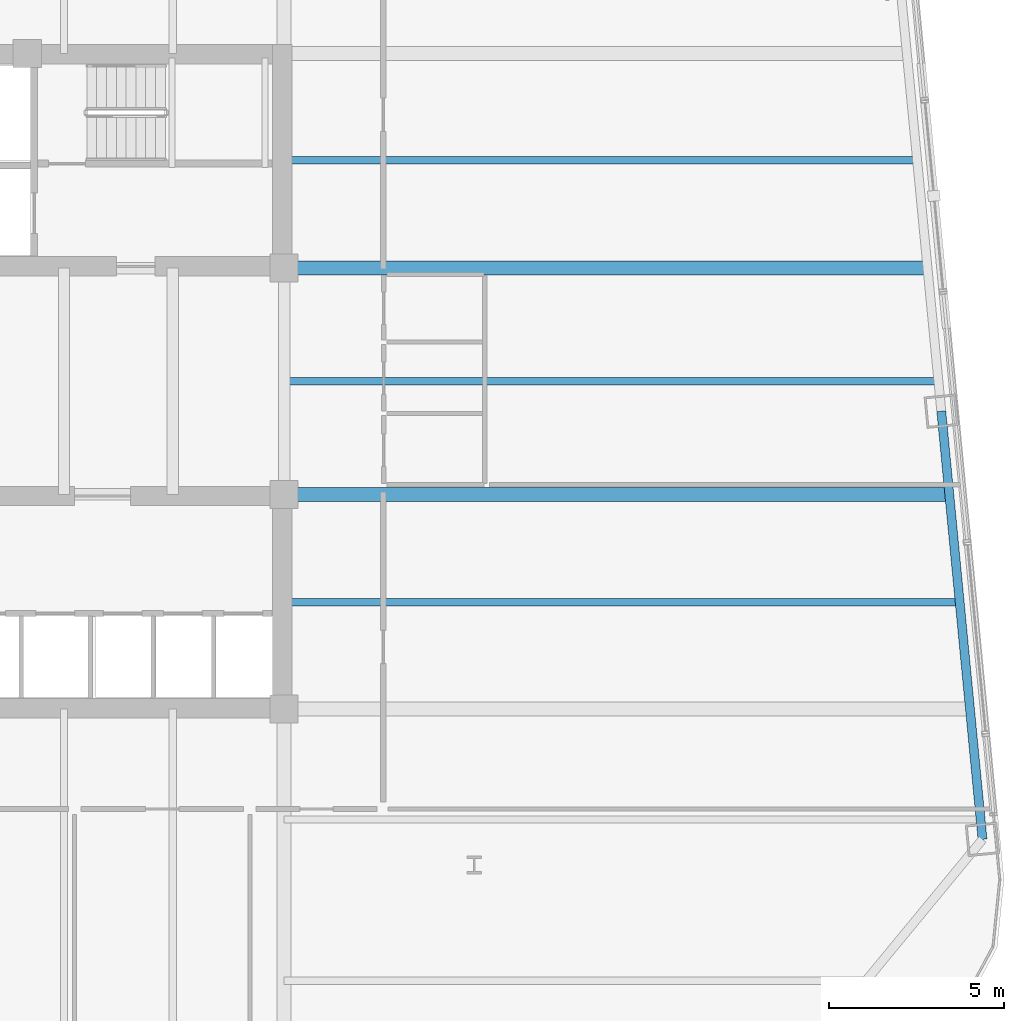
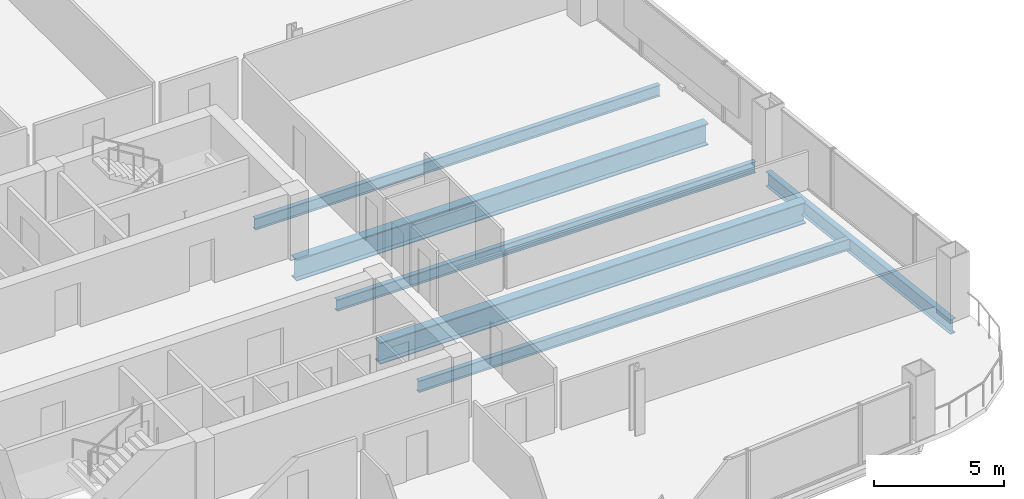
# One storey, part 12 of 27: 6 beams.
"""IFC4 building model written with IfcOpenShell, lengths in metres."""

import ifcopenshell
import ifcopenshell.guid

model = None  # the IFC model being written
_history = None  # IfcOwnerHistory: only IFC2X3 demands one
_inside = {}  # id of a spatial element -> (the spatial element, [elements in it])
_under = {}  # id of a project, library or spatial element -> (it, [spatial elements below it])
_declared = {}  # id of a project -> (the project, [libraries it declares])
_typed = {}  # id of a type object -> (the type object, [elements of that type])
_made_of = {}  # id of a material, layer set ... -> (it, [elements and type objects made of it])


def new_model(schema):
    """Start an empty IFC model of exactly this schema.

    Asked for "IFC4X3", IfcOpenShell would pick the latest addendum, in which some entities
    have other attributes; the version numbers below select the first issue.
    IFC2X3 requires an IfcOwnerHistory on every rooted entity: one is made here for all.
    """
    global model, _history
    if schema == "IFC4X3":
        model = ifcopenshell.file(schema_version=(4, 3, 0, 0))
    else:
        model = ifcopenshell.file(schema=schema)
    _inside.clear()
    _under.clear()
    _declared.clear()
    _typed.clear()
    _made_of.clear()
    _history = None
    if model.schema == "IFC2X3":
        org = make("IfcOrganization", Name="unknown")
        user = make(
            "IfcPersonAndOrganization",
            ThePerson=make("IfcPerson", FamilyName="unknown"),
            TheOrganization=org,
        )
        app = make(
            "IfcApplication",
            ApplicationDeveloper=org,
            Version="unknown",
            ApplicationFullName="unknown",
            ApplicationIdentifier="unknown",
        )
        _history = make(
            "IfcOwnerHistory",
            OwningUser=user,
            OwningApplication=app,
            ChangeAction="ADDED",
            CreationDate=0,
        )
    return model


def make(cls, **values):
    """One entity of the class cls with the attributes given. An attribute that is None is left unset."""
    return model.create_entity(
        cls, **{name: value for name, value in values.items() if value is not None}
    )


def rooted(cls, **values):
    """An entity with a GlobalId (a new one), such as an element, a storey or a relation."""
    return make(cls, GlobalId=ifcopenshell.guid.new(), OwnerHistory=_history, **values)


def si_unit(unit_type, name, prefix=None):
    """IfcSIUnit, for example si_unit("LENGTHUNIT", "METRE", prefix="MILLI")."""
    return make("IfcSIUnit", UnitType=unit_type, Prefix=prefix, Name=name)


def assignment(units):
    """IfcUnitAssignment: the units of a project."""
    return None if units is None else make("IfcUnitAssignment", Units=units)


def point(xyz):
    """IfcCartesianPoint."""
    return None if xyz is None else make("IfcCartesianPoint", Coordinates=xyz)


def direction(xyz):
    """IfcDirection."""
    return None if xyz is None else make("IfcDirection", DirectionRatios=xyz)


def frame(location, z_axis=None, x_axis=None):
    """IfcAxis2Placement3D, a coordinate frame: its origin and axes. An axis left out is left unset."""
    return make(
        "IfcAxis2Placement3D",
        Location=point(location),
        Axis=direction(z_axis),
        RefDirection=direction(x_axis),
    )


def frame_2d(location, x_axis=None):
    """IfcAxis2Placement2D, a coordinate frame in the plane: its origin and x axis."""
    return make(
        "IfcAxis2Placement2D", Location=point(location), RefDirection=direction(x_axis)
    )


def origin():
    """The frame at (0, 0, 0) with its axes left unset."""
    return frame((0.0, 0.0, 0.0))


def origin_2d():
    """The frame at (0, 0) in the plane with its x axis left unset."""
    return frame_2d((0.0, 0.0))


def place(relative_to, where):
    """IfcLocalPlacement: puts the frame where relative to a parent placement (None: the world)."""
    return make(
        "IfcLocalPlacement", PlacementRelTo=relative_to, RelativePlacement=where
    )


def context(
    kind, dimensions, precision=None, world=None, true_north=None, identifier=None
):
    """IfcGeometricRepresentationContext, for example the 3D "Model" context."""
    return make(
        "IfcGeometricRepresentationContext",
        ContextIdentifier=identifier,
        ContextType=kind,
        CoordinateSpaceDimension=dimensions,
        Precision=precision,
        WorldCoordinateSystem=world,
        TrueNorth=true_north,
    )


def subcontext(parent, identifier, kind, view, scale=None):
    """IfcGeometricRepresentationSubContext, for example "Body" below "Model"."""
    return make(
        "IfcGeometricRepresentationSubContext",
        ContextIdentifier=identifier,
        ContextType=kind,
        ParentContext=parent,
        TargetScale=scale,
        TargetView=view,
    )


def project(units=None, contexts=None):
    """IfcProject with its units and contexts."""
    return rooted(
        "IfcProject",
        Name="project",
        RepresentationContexts=contexts,
        UnitsInContext=assignment(units),
    )


def spatial(cls, under=None, at=None, **own):
    """A site, building, storey or space (cls), placed at a placement, below another one or the project."""
    s = rooted(cls, ObjectPlacement=at, **own)
    if under is not None:
        _under.setdefault(under.id(), (under, []))[1].append(s)
    return s


def profile(cls, at=None, kind="AREA", **sizes):
    """A parametric profile (cls). Its sizes go by their IFC names, for example OverallWidth=200.0."""
    return make(cls, ProfileType=kind, Position=at, **sizes)


def i_section(**sizes):
    """IfcIShapeProfileDef."""
    return profile("IfcIShapeProfileDef", **sizes)


def extrude(swept, where, along, depth):
    """IfcExtrudedAreaSolid: the profile swept, set in the frame where, extruded along a direction by depth."""
    return make(
        "IfcExtrudedAreaSolid",
        SweptArea=swept,
        Position=where,
        ExtrudedDirection=direction(along),
        Depth=depth,
    )


def shape(context_of_items, identifier, shape_type, items):
    """IfcShapeRepresentation: the items that make up one representation, for example the "Body"."""
    return make(
        "IfcShapeRepresentation",
        ContextOfItems=context_of_items,
        RepresentationIdentifier=identifier,
        RepresentationType=shape_type,
        Items=items,
    )


def material(Name=None, Category=None):
    """IfcMaterial."""
    return make("IfcMaterial", Name=Name, Category=Category)


def material_profile(
    of_material, cross_section, Name=None, Category=None, Priority=None
):
    """IfcMaterialProfile: a cross section and its material."""
    return make(
        "IfcMaterialProfile",
        Name=Name,
        Material=of_material,
        Profile=cross_section,
        Priority=Priority,
        Category=Category,
    )


def profile_set(profiles, Name=None, composite=None):
    """IfcMaterialProfileSet."""
    return make(
        "IfcMaterialProfileSet",
        Name=Name,
        MaterialProfiles=profiles,
        CompositeProfile=composite,
    )


def made_of(thing, what):
    """Note that an element or type object is made of a material, layer set ...; save() writes the relation."""
    if what is not None:
        _made_of.setdefault(what.id(), (what, []))[1].append(thing)
    return thing


def type_object(cls, material=None, **own):
    """A type object (cls), such as IfcWallType, which elements share."""
    return made_of(rooted(cls, **own), material)


def element(
    cls,
    number,
    at=None,
    inside=None,
    cuts=None,
    type_object=None,
    material=None,
    context=None,
    identifier="Body",
    shape_type=None,
    held_by="IfcProductDefinitionShape",
    body=None,
    shapes=None,
    **own,
):
    """One element of the class cls, such as IfcWall. Its Tag is "e" and its number.

    at: its placement. inside: the storey or other place that contains it. cuts: it is an
    opening in that element (IfcRelVoidsElement). A single representation is given by context,
    identifier, shape_type and body (its items); several are given by shapes. held_by: the class
    of the entity that holds the representations. save() writes the other relations.
    """
    e = rooted(cls, Tag="e%d" % number, ObjectPlacement=at, **own)
    if body is not None:
        shapes = [shape(context, identifier, shape_type, body)]
    if shapes is not None:
        e.Representation = make(held_by, Representations=shapes)
    if inside is not None:
        _inside.setdefault(inside.id(), (inside, []))[1].append(e)
    if cuts is not None:
        rooted(
            "IfcRelVoidsElement", RelatingBuildingElement=cuts, RelatedOpeningElement=e
        )
    if type_object is not None:
        _typed.setdefault(type_object.id(), (type_object, []))[1].append(e)
    return made_of(e, material)


def aggregate(whole, parts):
    """IfcRelAggregates: a whole, such as a stair, and the parts it consists of."""
    return rooted("IfcRelAggregates", RelatingObject=whole, RelatedObjects=parts)


def save(model, path):
    """Write the relations noted so far, then the file.

    IfcRelAggregates (storeys below a building ...), IfcRelContainedInSpatialStructure (elements
    in a storey), IfcRelDefinesByType, IfcRelAssociatesMaterial and IfcRelDeclares: one each for
    every whole, place, type object, material and project.
    """
    for whole, parts in _under.values():
        aggregate(whole, parts)
    for where, things in _inside.values():
        rooted(
            "IfcRelContainedInSpatialStructure",
            RelatedElements=things,
            RelatingStructure=where,
        )
    for kind, things in _typed.values():
        rooted("IfcRelDefinesByType", RelatedObjects=things, RelatingType=kind)
    for what, things in _made_of.values():
        rooted("IfcRelAssociatesMaterial", RelatedObjects=things, RelatingMaterial=what)
    for by, libraries in _declared.values():
        rooted("IfcRelDeclares", RelatingContext=by, RelatedDefinitions=libraries)
    model.write(path)


model = new_model("IFC4")

# Units and contexts
model_context = context("Model", 3, precision=1e-05, world=origin(), true_north=direction((0.0, 1.0)))
body_context = subcontext(model_context, "Body", "Model", "MODEL_VIEW")
ifc_project = project(units=[si_unit("LENGTHUNIT", "METRE"), si_unit("AREAUNIT", "SQUARE_METRE"), si_unit("VOLUMEUNIT", "CUBIC_METRE"), si_unit("PLANEANGLEUNIT", "RADIAN"), si_unit("MASSUNIT", "GRAM", prefix="KILO")], contexts=[model_context])

# Site, building, storey
site_placement = place(None, origin())
site = spatial("IfcSite", under=ifc_project, at=site_placement, CompositionType="ELEMENT")
building_placement = place(site_placement, origin())
building = spatial("IfcBuilding", under=site, at=building_placement, Name="Qhalaya Broadcast Tower", CompositionType="ELEMENT")
storey_placement = place(building_placement, frame((0.0, 0.0, 84.699951171875)))
storey = spatial("IfcBuildingStorey", under=building, at=storey_placement, Name="L24", CompositionType="ELEMENT", Elevation=84.699951171875)

# Beams
ifc_material = material(Name="Structural Steel ASTM A992 Grade 50", Category="steel")
ifc_material_profile_1 = material_profile(ifc_material, i_section(OverallWidth=0.2099609375, OverallDepth=0.535888671875, WebThickness=0.010986328125, FlangeThickness=0.017333984375, at=origin_2d()), Name="W21X68")
ifc_profile_set_1 = profile_set([ifc_material_profile_1], Name="Structural Steel ASTM A992 Grade 50")
beam_type_1 = type_object("IfcBeamType", Name="Composite Floor Joist J02", PredefinedType="JOIST", material=ifc_profile_set_1)
beam_1_placement = place(storey_placement, frame((9.375, -5.699951171875, -0.488037109375), z_axis=(1.0, 0.0, 0.0), x_axis=(0.0, 1.0, 0.0)))
element("IfcBeam", 1, at=beam_1_placement, inside=storey, type_object=beam_type_1, Name="L24 J02 L24-JWE3E-1", PredefinedType="JOIST", context=body_context, shape_type="SweptSolid", body=[
    extrude(i_section(OverallWidth=0.2099609375, OverallDepth=0.535888671875, WebThickness=0.010986328125, FlangeThickness=0.017333984375, at=origin_2d()), origin(), (0.0, 0.0, 1.0), 19.24609375),
])
beam_2_placement = place(storey_placement, frame((9.375, 0.60009765625, -0.488037109375), z_axis=(1.0, 0.0, 0.0), x_axis=(0.0, 1.0, 0.0)))
element("IfcBeam", 2, at=beam_2_placement, inside=storey, type_object=beam_type_1, Name="L24 J02 L24-JWE4E-1", PredefinedType="JOIST", context=body_context, shape_type="SweptSolid", body=[
    extrude(i_section(OverallWidth=0.2099609375, OverallDepth=0.535888671875, WebThickness=0.010986328125, FlangeThickness=0.017333984375, at=origin_2d()), origin(), (0.0, 0.0, 1.0), 18.639404296875),
])
beam_3_placement = place(storey_placement, frame((9.375, 6.89990234375, -0.488037109375), z_axis=(1.0, 0.0, 0.0), x_axis=(0.0, 1.0, 0.0)))
element("IfcBeam", 3, at=beam_3_placement, inside=storey, type_object=beam_type_1, Name="L24 J02 L24-JWE5E-1", PredefinedType="JOIST", context=body_context, shape_type="SweptSolid", body=[
    extrude(i_section(OverallWidth=0.2099609375, OverallDepth=0.535888671875, WebThickness=0.010986328125, FlangeThickness=0.017333984375, at=origin_2d()), origin(), (0.0, 0.0, 1.0), 18.03271484375),
])
ifc_material_profile_2 = material_profile(ifc_material, i_section(OverallWidth=0.40087890625, OverallDepth=1.010986328125, WebThickness=0.023681640625, FlangeThickness=0.0419921875, at=origin_2d()), Name="W40X297")
ifc_profile_set_2 = profile_set([ifc_material_profile_2], Name="Structural Steel ASTM A992 Grade 50")
beam_type_2 = type_object("IfcBeamType", Name="Lower Block Primary Girder PG2", PredefinedType="USERDEFINED", material=ifc_profile_set_2)
beam_4_placement = place(storey_placement, frame((9.375, -2.625, -0.725341796875), z_axis=(1.0, 0.0, 0.0), x_axis=(0.0, 1.0, 0.0)))
element("IfcBeam", 4, at=beam_4_placement, inside=storey, type_object=beam_type_2, Name="L24 PG2 L24-PGYE2-1", ObjectType="GIRDER", PredefinedType="USERDEFINED", context=body_context, shape_type="SweptSolid", body=[
    extrude(i_section(OverallWidth=0.40087890625, OverallDepth=1.010986328125, WebThickness=0.023681640625, FlangeThickness=0.0419921875, at=origin_2d()), origin(), (0.0, 0.0, 1.0), 18.949951171875),
])
beam_5_placement = place(storey_placement, frame((9.375, 3.824951171875, -0.725341796875), z_axis=(1.0, 0.0, 0.0), x_axis=(0.0, 1.0, 0.0)))
element("IfcBeam", 5, at=beam_5_placement, inside=storey, type_object=beam_type_2, Name="L24 PG2 L24-PGYE3-1", ObjectType="GIRDER", PredefinedType="USERDEFINED", context=body_context, shape_type="SweptSolid", body=[
    extrude(i_section(OverallWidth=0.40087890625, OverallDepth=1.010986328125, WebThickness=0.023681640625, FlangeThickness=0.0419921875, at=origin_2d()), origin(), (0.0, 0.0, 1.0), 18.328857421875),
])
ifc_material_profile_3 = material_profile(ifc_material, i_section(OverallWidth=0.25390625, OverallDepth=0.68310546875, WebThickness=0.012451171875, FlangeThickness=0.01904296875, at=origin_2d()), Name="W27X94")
ifc_profile_set_3 = profile_set([ifc_material_profile_3], Name="Structural Steel ASTM A992 Grade 50")
beam_type_3 = type_object("IfcBeamType", Name="Perimeter Ring Spandrel Beam SP1", PredefinedType="SPANDREL", material=ifc_profile_set_3)
beam_6_placement = place(storey_placement, frame((29.29248046875, -12.46533203125, -0.5615234375), z_axis=(-0.095831866369, 0.995397535354, 0.0), x_axis=(-0.995397535354, -0.095831866369, 0.0)))
element("IfcBeam", 6, at=beam_6_placement, inside=storey, type_object=beam_type_3, Name="L24 SP1 L24-SPR-05", PredefinedType="SPANDREL", context=body_context, shape_type="SweptSolid", body=[
    extrude(i_section(OverallWidth=0.25390625, OverallDepth=0.68310546875, WebThickness=0.012451171875, FlangeThickness=0.01904296875, at=origin_2d()), origin(), (0.0, 0.0, 1.0), 12.2666015625),
])

save(model, "model.ifc")
